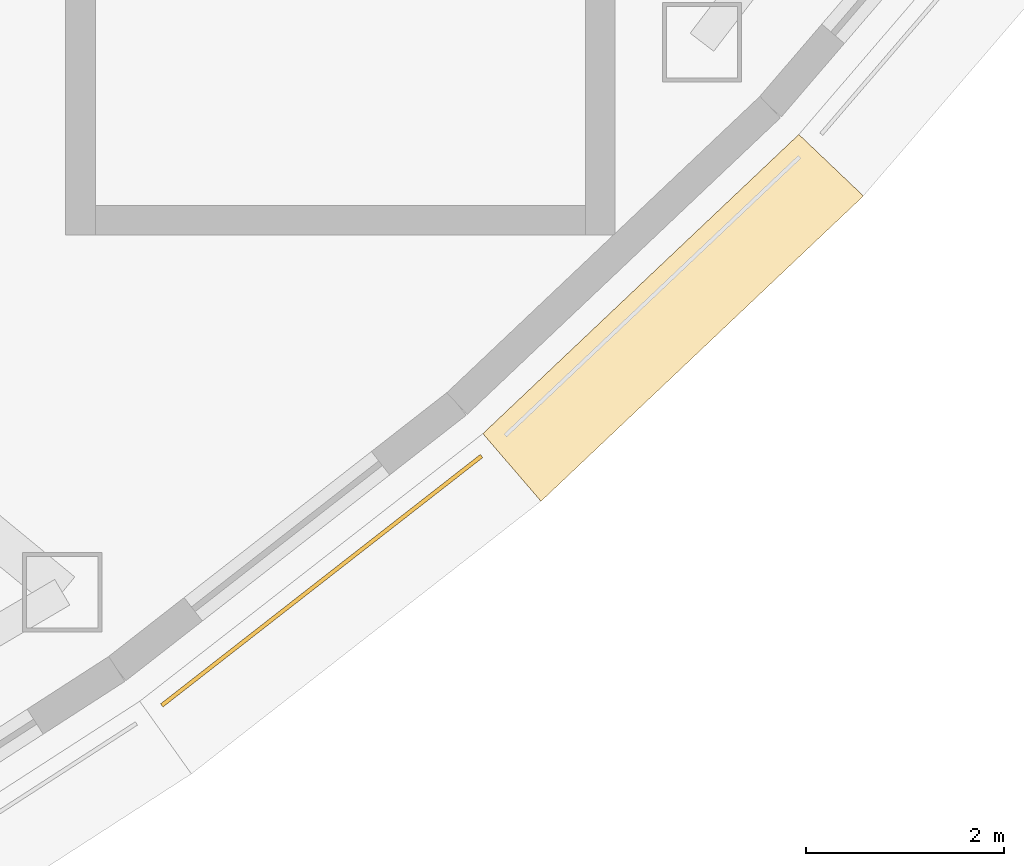
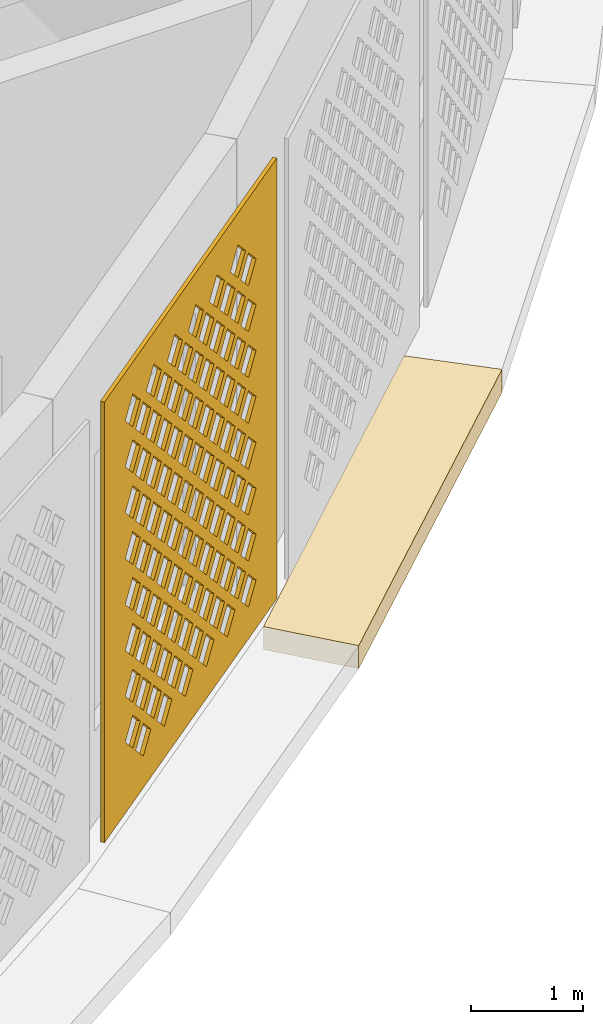
# One storey, part 64 of 69: 2 coverings.
"""IFC4 building model written with IfcOpenShell, lengths in metres."""

from ifc_helpers import new_model, si_unit, direction, frame, origin, place, context, subcontext, project, spatial, polyline, outline, extrude, material, layer, layer_set, type_object, element, save


model = new_model("IFC4")

# Units and contexts
model_context = context("Model", 3, precision=1e-05, world=origin(), true_north=direction((0.0, 1.0)))
body_context = subcontext(model_context, "Body", "Model", "MODEL_VIEW")
ifc_project = project(units=[si_unit("LENGTHUNIT", "METRE"), si_unit("AREAUNIT", "SQUARE_METRE"), si_unit("VOLUMEUNIT", "CUBIC_METRE"), si_unit("PLANEANGLEUNIT", "RADIAN"), si_unit("MASSUNIT", "GRAM", prefix="KILO")], contexts=[model_context])

# Site, building, storey
site_placement = place(None, origin())
site = spatial("IfcSite", under=ifc_project, at=site_placement, CompositionType="ELEMENT")
building_placement = place(site_placement, origin())
building = spatial("IfcBuilding", under=site, at=building_placement, Name="Noorbagh Ring Tower", CompositionType="ELEMENT")
storey_placement = place(building_placement, frame((0.0, 0.0, 19.5)))
storey = spatial("IfcBuildingStorey", under=building, at=storey_placement, Name="L03", CompositionType="ELEMENT", Elevation=19.5)

# Coverings
ifc_material_1 = material(Name="Red sandstone eave", Category="masonry")
covering_type_1 = type_object("IfcCoveringType", Name="STY-CHHAJJA", PredefinedType="USERDEFINED", material=ifc_material_1)
covering_1_placement = place(storey_placement, frame((0.0, 0.0, -0.25)))
element("IfcCovering", 1, at=covering_1_placement, inside=storey, type_object=covering_type_1, Name="Chhajja eave", ObjectType="CHHAJJA", PredefinedType="USERDEFINED", context=body_context, shape_type="SweptSolid", body=[
    extrude(outline(polyline([(38.71435546875, -26.70458984375), (41.906494140625, -23.682373046875), (42.55908203125, -24.3037109375), (39.3017578125, -27.3876953125), (38.71435546875, -26.70458984375)])), origin(), (0.0, 0.0, 1.0), 0.25),
])
ifc_material_2 = material(Name="Red sandstone jali", Category="masonry")
ifc_layer = layer(ifc_material_2, 0.0400390625)
ifc_layer_set = layer_set([ifc_layer], Name="Red sandstone jali")
covering_type_2 = type_object("IfcCoveringType", Name="STY-JALI", PredefinedType="USERDEFINED", material=ifc_layer_set)
covering_2_placement = place(storey_placement, frame((35.48291015625, -29.4658203125, 0.449951171875), z_axis=(0.614979917433, -0.788542770656, 0.0), x_axis=(0.788542770656, 0.614979917433, 0.0)))
element("IfcCovering", 2, at=covering_2_placement, inside=storey, type_object=covering_type_2, Name="Jali screen", ObjectType="SCREEN", PredefinedType="USERDEFINED", context=body_context, shape_type="SweptSolid", body=[
    extrude(outline(polyline([(0.0, 0.0), (4.09619140625, 0.0), (4.09619140625, 4.800048828125), (0.0, 4.800048828125), (0.0, 0.0)]), holes=[polyline([(0.7431640625, 0.52490234375), (0.923095703125, 0.344970703125), (1.10302734375, 0.52490234375), (0.923095703125, 0.705078125), (0.7431640625, 0.52490234375)]), polyline([(1.2431640625, 0.52490234375), (1.423095703125, 0.344970703125), (1.60302734375, 0.52490234375), (1.423095703125, 0.705078125), (1.2431640625, 0.52490234375)]), polyline([(1.7431640625, 0.52490234375), (1.923095703125, 0.344970703125), (2.10302734375, 0.52490234375), (1.923095703125, 0.705078125), (1.7431640625, 0.52490234375)]), polyline([(2.2431640625, 0.52490234375), (2.423095703125, 0.344970703125), (2.60302734375, 0.52490234375), (2.423095703125, 0.705078125), (2.2431640625, 0.52490234375)]), polyline([(2.7431640625, 0.52490234375), (2.923095703125, 0.344970703125), (3.10302734375, 0.52490234375), (2.923095703125, 0.705078125), (2.7431640625, 0.52490234375)]), polyline([(3.2431640625, 0.52490234375), (3.423095703125, 0.344970703125), (3.60302734375, 0.52490234375), (3.423095703125, 0.705078125), (3.2431640625, 0.52490234375)]), polyline([(0.4931640625, 0.77490234375), (0.673095703125, 0.594970703125), (0.85302734375, 0.77490234375), (0.673095703125, 0.955078125), (0.4931640625, 0.77490234375)]), polyline([(0.9931640625, 0.77490234375), (1.173095703125, 0.594970703125), (1.35302734375, 0.77490234375), (1.173095703125, 0.955078125), (0.9931640625, 0.77490234375)]), polyline([(1.4931640625, 0.77490234375), (1.673095703125, 0.594970703125), (1.85302734375, 0.77490234375), (1.673095703125, 0.955078125), (1.4931640625, 0.77490234375)]), polyline([(1.9931640625, 0.77490234375), (2.173095703125, 0.594970703125), (2.35302734375, 0.77490234375), (2.173095703125, 0.955078125), (1.9931640625, 0.77490234375)]), polyline([(2.4931640625, 0.77490234375), (2.673095703125, 0.594970703125), (2.85302734375, 0.77490234375), (2.673095703125, 0.955078125), (2.4931640625, 0.77490234375)]), polyline([(2.9931640625, 0.77490234375), (3.173095703125, 0.594970703125), (3.35302734375, 0.77490234375), (3.173095703125, 0.955078125), (2.9931640625, 0.77490234375)]), polyline([(0.7431640625, 1.02490234375), (0.923095703125, 0.844970703125), (1.10302734375, 1.02490234375), (0.923095703125, 1.205078125), (0.7431640625, 1.02490234375)]), polyline([(1.2431640625, 1.02490234375), (1.423095703125, 0.844970703125), (1.60302734375, 1.02490234375), (1.423095703125, 1.205078125), (1.2431640625, 1.02490234375)]), polyline([(1.7431640625, 1.02490234375), (1.923095703125, 0.844970703125), (2.10302734375, 1.02490234375), (1.923095703125, 1.205078125), (1.7431640625, 1.02490234375)]), polyline([(2.2431640625, 1.02490234375), (2.423095703125, 0.844970703125), (2.60302734375, 1.02490234375), (2.423095703125, 1.205078125), (2.2431640625, 1.02490234375)]), polyline([(2.7431640625, 1.02490234375), (2.923095703125, 0.844970703125), (3.10302734375, 1.02490234375), (2.923095703125, 1.205078125), (2.7431640625, 1.02490234375)]), polyline([(3.2431640625, 1.02490234375), (3.423095703125, 0.844970703125), (3.60302734375, 1.02490234375), (3.423095703125, 1.205078125), (3.2431640625, 1.02490234375)]), polyline([(0.4931640625, 1.27490234375), (0.673095703125, 1.094970703125), (0.85302734375, 1.27490234375), (0.673095703125, 1.455078125), (0.4931640625, 1.27490234375)]), polyline([(0.9931640625, 1.27490234375), (1.173095703125, 1.094970703125), (1.35302734375, 1.27490234375), (1.173095703125, 1.455078125), (0.9931640625, 1.27490234375)]), polyline([(1.4931640625, 1.27490234375), (1.673095703125, 1.094970703125), (1.85302734375, 1.27490234375), (1.673095703125, 1.455078125), (1.4931640625, 1.27490234375)]), polyline([(1.9931640625, 1.27490234375), (2.173095703125, 1.094970703125), (2.35302734375, 1.27490234375), (2.173095703125, 1.455078125), (1.9931640625, 1.27490234375)]), polyline([(2.4931640625, 1.27490234375), (2.673095703125, 1.094970703125), (2.85302734375, 1.27490234375), (2.673095703125, 1.455078125), (2.4931640625, 1.27490234375)]), polyline([(2.9931640625, 1.27490234375), (3.173095703125, 1.094970703125), (3.35302734375, 1.27490234375), (3.173095703125, 1.455078125), (2.9931640625, 1.27490234375)]), polyline([(0.7431640625, 1.52490234375), (0.923095703125, 1.344970703125), (1.10302734375, 1.52490234375), (0.923095703125, 1.705078125), (0.7431640625, 1.52490234375)]), polyline([(1.2431640625, 1.52490234375), (1.423095703125, 1.344970703125), (1.60302734375, 1.52490234375), (1.423095703125, 1.705078125), (1.2431640625, 1.52490234375)]), polyline([(1.7431640625, 1.52490234375), (1.923095703125, 1.344970703125), (2.10302734375, 1.52490234375), (1.923095703125, 1.705078125), (1.7431640625, 1.52490234375)]), polyline([(2.2431640625, 1.52490234375), (2.423095703125, 1.344970703125), (2.60302734375, 1.52490234375), (2.423095703125, 1.705078125), (2.2431640625, 1.52490234375)]), polyline([(2.7431640625, 1.52490234375), (2.923095703125, 1.344970703125), (3.10302734375, 1.52490234375), (2.923095703125, 1.705078125), (2.7431640625, 1.52490234375)]), polyline([(3.2431640625, 1.52490234375), (3.423095703125, 1.344970703125), (3.60302734375, 1.52490234375), (3.423095703125, 1.705078125), (3.2431640625, 1.52490234375)]), polyline([(0.4931640625, 1.77490234375), (0.673095703125, 1.594970703125), (0.85302734375, 1.77490234375), (0.673095703125, 1.955078125), (0.4931640625, 1.77490234375)]), polyline([(0.9931640625, 1.77490234375), (1.173095703125, 1.594970703125), (1.35302734375, 1.77490234375), (1.173095703125, 1.955078125), (0.9931640625, 1.77490234375)]), polyline([(1.4931640625, 1.77490234375), (1.673095703125, 1.594970703125), (1.85302734375, 1.77490234375), (1.673095703125, 1.955078125), (1.4931640625, 1.77490234375)]), polyline([(1.9931640625, 1.77490234375), (2.173095703125, 1.594970703125), (2.35302734375, 1.77490234375), (2.173095703125, 1.955078125), (1.9931640625, 1.77490234375)]), polyline([(2.4931640625, 1.77490234375), (2.673095703125, 1.594970703125), (2.85302734375, 1.77490234375), (2.673095703125, 1.955078125), (2.4931640625, 1.77490234375)]), polyline([(2.9931640625, 1.77490234375), (3.173095703125, 1.594970703125), (3.35302734375, 1.77490234375), (3.173095703125, 1.955078125), (2.9931640625, 1.77490234375)]), polyline([(0.7431640625, 2.02490234375), (0.923095703125, 1.844970703125), (1.10302734375, 2.02490234375), (0.923095703125, 2.205078125), (0.7431640625, 2.02490234375)]), polyline([(1.2431640625, 2.02490234375), (1.423095703125, 1.844970703125), (1.60302734375, 2.02490234375), (1.423095703125, 2.205078125), (1.2431640625, 2.02490234375)]), polyline([(1.7431640625, 2.02490234375), (1.923095703125, 1.844970703125), (2.10302734375, 2.02490234375), (1.923095703125, 2.205078125), (1.7431640625, 2.02490234375)]), polyline([(2.2431640625, 2.02490234375), (2.423095703125, 1.844970703125), (2.60302734375, 2.02490234375), (2.423095703125, 2.205078125), (2.2431640625, 2.02490234375)]), polyline([(2.7431640625, 2.02490234375), (2.923095703125, 1.844970703125), (3.10302734375, 2.02490234375), (2.923095703125, 2.205078125), (2.7431640625, 2.02490234375)]), polyline([(3.2431640625, 2.02490234375), (3.423095703125, 1.844970703125), (3.60302734375, 2.02490234375), (3.423095703125, 2.205078125), (3.2431640625, 2.02490234375)]), polyline([(0.4931640625, 2.27490234375), (0.673095703125, 2.094970703125), (0.85302734375, 2.27490234375), (0.673095703125, 2.455078125), (0.4931640625, 2.27490234375)]), polyline([(0.9931640625, 2.27490234375), (1.173095703125, 2.094970703125), (1.35302734375, 2.27490234375), (1.173095703125, 2.455078125), (0.9931640625, 2.27490234375)]), polyline([(1.4931640625, 2.27490234375), (1.673095703125, 2.094970703125), (1.85302734375, 2.27490234375), (1.673095703125, 2.455078125), (1.4931640625, 2.27490234375)]), polyline([(1.9931640625, 2.27490234375), (2.173095703125, 2.094970703125), (2.35302734375, 2.27490234375), (2.173095703125, 2.455078125), (1.9931640625, 2.27490234375)]), polyline([(2.4931640625, 2.27490234375), (2.673095703125, 2.094970703125), (2.85302734375, 2.27490234375), (2.673095703125, 2.455078125), (2.4931640625, 2.27490234375)]), polyline([(2.9931640625, 2.27490234375), (3.173095703125, 2.094970703125), (3.35302734375, 2.27490234375), (3.173095703125, 2.455078125), (2.9931640625, 2.27490234375)]), polyline([(0.7431640625, 2.52490234375), (0.923095703125, 2.344970703125), (1.10302734375, 2.52490234375), (0.923095703125, 2.705078125), (0.7431640625, 2.52490234375)]), polyline([(1.2431640625, 2.52490234375), (1.423095703125, 2.344970703125), (1.60302734375, 2.52490234375), (1.423095703125, 2.705078125), (1.2431640625, 2.52490234375)]), polyline([(1.7431640625, 2.52490234375), (1.923095703125, 2.344970703125), (2.10302734375, 2.52490234375), (1.923095703125, 2.705078125), (1.7431640625, 2.52490234375)]), polyline([(2.2431640625, 2.52490234375), (2.423095703125, 2.344970703125), (2.60302734375, 2.52490234375), (2.423095703125, 2.705078125), (2.2431640625, 2.52490234375)]), polyline([(2.7431640625, 2.52490234375), (2.923095703125, 2.344970703125), (3.10302734375, 2.52490234375), (2.923095703125, 2.705078125), (2.7431640625, 2.52490234375)]), polyline([(3.2431640625, 2.52490234375), (3.423095703125, 2.344970703125), (3.60302734375, 2.52490234375), (3.423095703125, 2.705078125), (3.2431640625, 2.52490234375)]), polyline([(0.4931640625, 2.77490234375), (0.673095703125, 2.594970703125), (0.85302734375, 2.77490234375), (0.673095703125, 2.955078125), (0.4931640625, 2.77490234375)]), polyline([(0.9931640625, 2.77490234375), (1.173095703125, 2.594970703125), (1.35302734375, 2.77490234375), (1.173095703125, 2.955078125), (0.9931640625, 2.77490234375)]), polyline([(1.4931640625, 2.77490234375), (1.673095703125, 2.594970703125), (1.85302734375, 2.77490234375), (1.673095703125, 2.955078125), (1.4931640625, 2.77490234375)]), polyline([(1.9931640625, 2.77490234375), (2.173095703125, 2.594970703125), (2.35302734375, 2.77490234375), (2.173095703125, 2.955078125), (1.9931640625, 2.77490234375)]), polyline([(2.4931640625, 2.77490234375), (2.673095703125, 2.594970703125), (2.85302734375, 2.77490234375), (2.673095703125, 2.955078125), (2.4931640625, 2.77490234375)]), polyline([(2.9931640625, 2.77490234375), (3.173095703125, 2.594970703125), (3.35302734375, 2.77490234375), (3.173095703125, 2.955078125), (2.9931640625, 2.77490234375)]), polyline([(0.7431640625, 3.02490234375), (0.923095703125, 2.844970703125), (1.10302734375, 3.02490234375), (0.923095703125, 3.205078125), (0.7431640625, 3.02490234375)]), polyline([(1.2431640625, 3.02490234375), (1.423095703125, 2.844970703125), (1.60302734375, 3.02490234375), (1.423095703125, 3.205078125), (1.2431640625, 3.02490234375)]), polyline([(1.7431640625, 3.02490234375), (1.923095703125, 2.844970703125), (2.10302734375, 3.02490234375), (1.923095703125, 3.205078125), (1.7431640625, 3.02490234375)]), polyline([(2.2431640625, 3.02490234375), (2.423095703125, 2.844970703125), (2.60302734375, 3.02490234375), (2.423095703125, 3.205078125), (2.2431640625, 3.02490234375)]), polyline([(2.7431640625, 3.02490234375), (2.923095703125, 2.844970703125), (3.10302734375, 3.02490234375), (2.923095703125, 3.205078125), (2.7431640625, 3.02490234375)]), polyline([(3.2431640625, 3.02490234375), (3.423095703125, 2.844970703125), (3.60302734375, 3.02490234375), (3.423095703125, 3.205078125), (3.2431640625, 3.02490234375)]), polyline([(0.4931640625, 3.27490234375), (0.673095703125, 3.094970703125), (0.85302734375, 3.27490234375), (0.673095703125, 3.455078125), (0.4931640625, 3.27490234375)]), polyline([(0.9931640625, 3.27490234375), (1.173095703125, 3.094970703125), (1.35302734375, 3.27490234375), (1.173095703125, 3.455078125), (0.9931640625, 3.27490234375)]), polyline([(1.4931640625, 3.27490234375), (1.673095703125, 3.094970703125), (1.85302734375, 3.27490234375), (1.673095703125, 3.455078125), (1.4931640625, 3.27490234375)]), polyline([(1.9931640625, 3.27490234375), (2.173095703125, 3.094970703125), (2.35302734375, 3.27490234375), (2.173095703125, 3.455078125), (1.9931640625, 3.27490234375)]), polyline([(2.4931640625, 3.27490234375), (2.673095703125, 3.094970703125), (2.85302734375, 3.27490234375), (2.673095703125, 3.455078125), (2.4931640625, 3.27490234375)]), polyline([(2.9931640625, 3.27490234375), (3.173095703125, 3.094970703125), (3.35302734375, 3.27490234375), (3.173095703125, 3.455078125), (2.9931640625, 3.27490234375)]), polyline([(0.7431640625, 3.52490234375), (0.923095703125, 3.344970703125), (1.10302734375, 3.52490234375), (0.923095703125, 3.705078125), (0.7431640625, 3.52490234375)]), polyline([(1.2431640625, 3.52490234375), (1.423095703125, 3.344970703125), (1.60302734375, 3.52490234375), (1.423095703125, 3.705078125), (1.2431640625, 3.52490234375)]), polyline([(1.7431640625, 3.52490234375), (1.923095703125, 3.344970703125), (2.10302734375, 3.52490234375), (1.923095703125, 3.705078125), (1.7431640625, 3.52490234375)]), polyline([(2.2431640625, 3.52490234375), (2.423095703125, 3.344970703125), (2.60302734375, 3.52490234375), (2.423095703125, 3.705078125), (2.2431640625, 3.52490234375)]), polyline([(2.7431640625, 3.52490234375), (2.923095703125, 3.344970703125), (3.10302734375, 3.52490234375), (2.923095703125, 3.705078125), (2.7431640625, 3.52490234375)]), polyline([(3.2431640625, 3.52490234375), (3.423095703125, 3.344970703125), (3.60302734375, 3.52490234375), (3.423095703125, 3.705078125), (3.2431640625, 3.52490234375)]), polyline([(0.4931640625, 3.77490234375), (0.673095703125, 3.594970703125), (0.85302734375, 3.77490234375), (0.673095703125, 3.955078125), (0.4931640625, 3.77490234375)]), polyline([(0.9931640625, 3.77490234375), (1.173095703125, 3.594970703125), (1.35302734375, 3.77490234375), (1.173095703125, 3.955078125), (0.9931640625, 3.77490234375)]), polyline([(1.4931640625, 3.77490234375), (1.673095703125, 3.594970703125), (1.85302734375, 3.77490234375), (1.673095703125, 3.955078125), (1.4931640625, 3.77490234375)]), polyline([(1.9931640625, 3.77490234375), (2.173095703125, 3.594970703125), (2.35302734375, 3.77490234375), (2.173095703125, 3.955078125), (1.9931640625, 3.77490234375)]), polyline([(2.4931640625, 3.77490234375), (2.673095703125, 3.594970703125), (2.85302734375, 3.77490234375), (2.673095703125, 3.955078125), (2.4931640625, 3.77490234375)]), polyline([(2.9931640625, 3.77490234375), (3.173095703125, 3.594970703125), (3.35302734375, 3.77490234375), (3.173095703125, 3.955078125), (2.9931640625, 3.77490234375)]), polyline([(0.7431640625, 4.02490234375), (0.923095703125, 3.844970703125), (1.10302734375, 4.02490234375), (0.923095703125, 4.205078125), (0.7431640625, 4.02490234375)]), polyline([(1.2431640625, 4.02490234375), (1.423095703125, 3.844970703125), (1.60302734375, 4.02490234375), (1.423095703125, 4.205078125), (1.2431640625, 4.02490234375)]), polyline([(1.7431640625, 4.02490234375), (1.923095703125, 3.844970703125), (2.10302734375, 4.02490234375), (1.923095703125, 4.205078125), (1.7431640625, 4.02490234375)]), polyline([(2.2431640625, 4.02490234375), (2.423095703125, 3.844970703125), (2.60302734375, 4.02490234375), (2.423095703125, 4.205078125), (2.2431640625, 4.02490234375)]), polyline([(2.7431640625, 4.02490234375), (2.923095703125, 3.844970703125), (3.10302734375, 4.02490234375), (2.923095703125, 4.205078125), (2.7431640625, 4.02490234375)]), polyline([(3.2431640625, 4.02490234375), (3.423095703125, 3.844970703125), (3.60302734375, 4.02490234375), (3.423095703125, 4.205078125), (3.2431640625, 4.02490234375)]), polyline([(0.4931640625, 4.27490234375), (0.673095703125, 4.094970703125), (0.85302734375, 4.27490234375), (0.673095703125, 4.455078125), (0.4931640625, 4.27490234375)]), polyline([(0.9931640625, 4.27490234375), (1.173095703125, 4.094970703125), (1.35302734375, 4.27490234375), (1.173095703125, 4.455078125), (0.9931640625, 4.27490234375)]), polyline([(1.4931640625, 4.27490234375), (1.673095703125, 4.094970703125), (1.85302734375, 4.27490234375), (1.673095703125, 4.455078125), (1.4931640625, 4.27490234375)]), polyline([(1.9931640625, 4.27490234375), (2.173095703125, 4.094970703125), (2.35302734375, 4.27490234375), (2.173095703125, 4.455078125), (1.9931640625, 4.27490234375)]), polyline([(2.4931640625, 4.27490234375), (2.673095703125, 4.094970703125), (2.85302734375, 4.27490234375), (2.673095703125, 4.455078125), (2.4931640625, 4.27490234375)]), polyline([(2.9931640625, 4.27490234375), (3.173095703125, 4.094970703125), (3.35302734375, 4.27490234375), (3.173095703125, 4.455078125), (2.9931640625, 4.27490234375)])]), origin(), (0.0, 0.0, -1.0), 0.0400390625),
])

save(model, "model.ifc")
